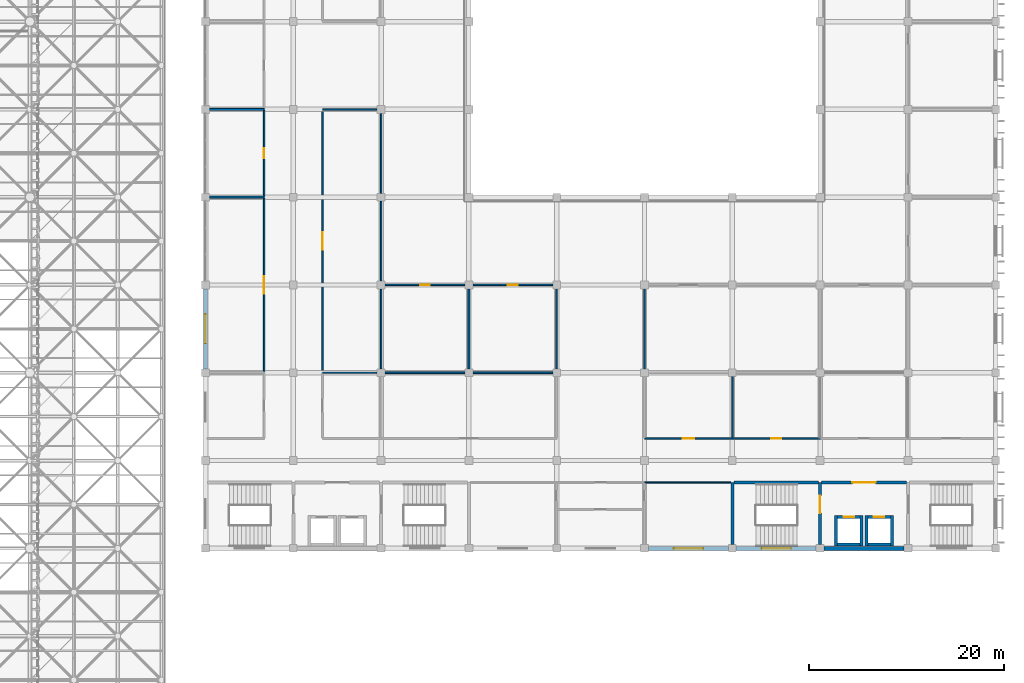
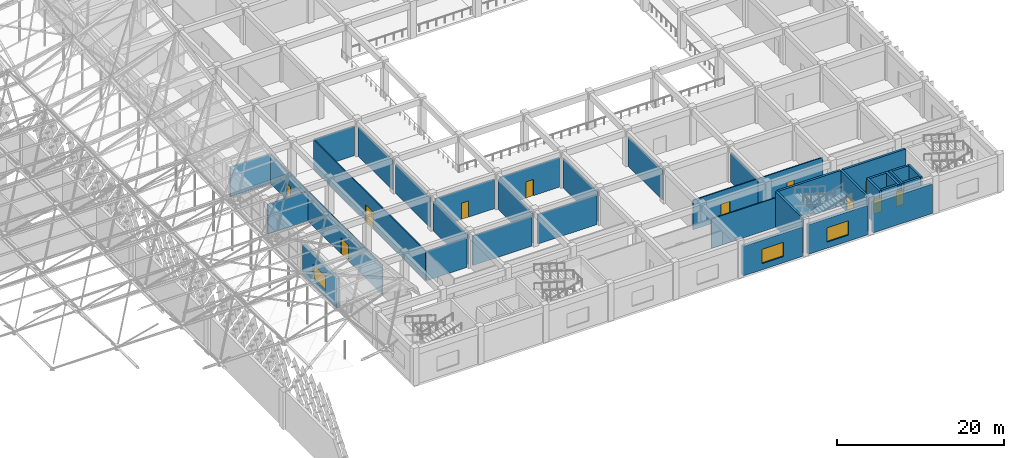
# One storey, part 277 of 437: 37 walls, 11 doors, 3 windows, 14 openings.
"""IFC4 building model written with IfcOpenShell, lengths in metres."""

from ifc_helpers import new_model, si_unit, direction, frame, frame_2d, origin, place, context, subcontext, project, spatial, rectangle, extrude, material, layer, layer_set, type_object, element, fill, save


model = new_model("IFC4")

# Units and contexts
model_context = context("Model", 3, precision=1e-05, world=origin(), true_north=direction((0.0, 1.0)))
body_context = subcontext(model_context, "Body", "Model", "MODEL_VIEW")
ifc_project = project(units=[si_unit("LENGTHUNIT", "METRE"), si_unit("AREAUNIT", "SQUARE_METRE"), si_unit("VOLUMEUNIT", "CUBIC_METRE"), si_unit("PLANEANGLEUNIT", "RADIAN"), si_unit("MASSUNIT", "GRAM", prefix="KILO")], contexts=[model_context])

# Site, building, storey
site_placement = place(None, origin())
site = spatial("IfcSite", under=ifc_project, at=site_placement, CompositionType="ELEMENT")
building_placement = place(site_placement, origin())
building = spatial("IfcBuilding", under=site, at=building_placement, Name="Opaline Strait Convention Centre", CompositionType="ELEMENT")
storey_placement = place(building_placement, frame((0.0, 0.0, 11.5)))
storey = spatial("IfcBuildingStorey", under=building, at=storey_placement, Name="L02", CompositionType="ELEMENT", Elevation=11.5)

# Walls
ifc_material_1 = material(Name="Gypsum board")
ifc_layer_1 = layer(ifc_material_1, 0.050048828125)
ifc_material_2 = material(Name="Steel stud and mineral wool", Category="steel")
ifc_layer_2 = layer(ifc_material_2, 0.10009765625)
ifc_layer_3 = layer(ifc_material_1, 0.050048828125)
ifc_layer_set_1 = layer_set([ifc_layer_1, ifc_layer_2, ifc_layer_3], Name="Gypsum board, Steel stud and mineral wool, Gypsum board")
wall_type_1 = type_object("IfcWallType", Name="Acoustic partition 200 EI45", PredefinedType="PARTITIONING", material=ifc_layer_set_1)
for number, where, z_axis, x_axis, name in (
    (1, (279.39990234375, 126.0, 0.0), (0.0, 0.0, 1.0), (1.0, 0.0, 0.0), "MPW5 partition VIP Suite 2.02 N"),
    (2, (279.39990234375, 135.0, 0.0), (0.0, 0.0, 1.0), (1.0, 0.0, 0.0), "MPW5 partition Boardroom 2.03 N"),
):
    element("IfcWall", number, at=place(storey_placement, frame(where, z_axis=z_axis, x_axis=x_axis)), inside=storey, type_object=wall_type_1, Name=name, PredefinedType="PARTITIONING", context=body_context, shape_type="SweptSolid", body=[
        extrude(rectangle(XDim=5.60009765625, YDim=0.199951171875, at=frame_2d((2.800048828125, 0.0))), origin(), (0.0, 0.0, 1.0), 4.320068359375),
    ])
for number, where, z_axis, x_axis, name in (
    (3, (297.39990234375, 108.0, 0.0), (0.0, 0.0, 1.0), (1.0, 0.0, 0.0), "MPW5 partition Meeting Room 2.11 N"),
    (4, (306.39990234375, 108.0, 0.0), (0.0, 0.0, 1.0), (1.0, 0.0, 0.0), "MPW5 partition Meeting Room 2.11 N"),
    (5, (306.0, 108.39990234375, 0.0), (0.0, 0.0, 1.0), (0.0, 1.0, 0.0), "MPW5 partition Boardroom 2.15 E"),
):
    element("IfcWall", number, at=place(storey_placement, frame(where, z_axis=z_axis, x_axis=x_axis)), inside=storey, type_object=wall_type_1, Name=name, PredefinedType="PARTITIONING", context=body_context, shape_type="SweptSolid", body=[
        extrude(rectangle(XDim=8.2001953125, YDim=0.199951171875, at=frame_2d((4.10009765625, 0.0))), origin(), (0.0, 0.0, 1.0), 4.320068359375),
    ])

# Wall, opening, door
ifc_layer_4 = layer(ifc_material_1, 0.032470703125)
ifc_layer_5 = layer(ifc_material_2, 0.0849609375)
ifc_layer_6 = layer(ifc_material_1, 0.032470703125)
ifc_layer_set_2 = layer_set([ifc_layer_4, ifc_layer_5, ifc_layer_6], Name="Gypsum board, Steel stud and mineral wool, Gypsum board")
wall_type_2 = type_object("IfcWallType", Name="Corridor partition 150 EI60", PredefinedType="PARTITIONING", material=ifc_layer_set_2)
wall_1_placement = place(storey_placement, frame((285.0, 108.10009765625, 0.0), z_axis=(0.0, 0.0, 1.0), x_axis=(0.0, 1.0, 0.0)))
wall_1 = element("IfcWall", 6, at=wall_1_placement, inside=storey, type_object=wall_type_2, Name="MPW1 partition VIP Suite 2.02 E", PredefinedType="PARTITIONING", context=body_context, shape_type="SweptSolid", body=[
    extrude(rectangle(XDim=17.7998046875, YDim=0.14990234375, at=frame_2d((8.89990234375, 0.0))), origin(), (0.0, 0.0, 1.0), 4.320068359375),
])
opening_1_placement = place(wall_1_placement, frame((8.0, 0.0, 0.0)))
opening_1 = element("IfcOpeningElement", 7, at=opening_1_placement, cuts=wall_1, Name="Opening M2-022", PredefinedType="OPENING", context=body_context, shape_type="SweptSolid", body=[
    extrude(rectangle(XDim=1.800048828125, YDim=2.39990234375, at=frame_2d((0.89990234375, 1.199951171875))), frame((0.0, 0.0849609375, 0.0), z_axis=(0.0, -1.0, 0.0), x_axis=(1.0, 0.0, 0.0)), (0.0, 0.0, 1.0), 0.169921875),
])
ifc_material_3 = material(Name="Solid-core timber leaf, steel frame door set", Category="steel")
door_type_1 = type_object("IfcDoorType", Name="Meeting room double door FD30 1800 x 2400", OperationType="DOUBLE_DOOR_SINGLE_SWING", PredefinedType="DOOR", material=ifc_material_3)
door_1_placement = place(opening_1_placement, frame((1.800048828125, 0.0, 0.0), z_axis=(0.0, 0.0, 1.0), x_axis=(-1.0, 0.0, 0.0)))
door_1 = element("IfcDoor", 8, at=door_1_placement, inside=storey, type_object=door_type_1, Name="Door VIP Suite 2.02", ObjectType="MD7", OperationType="DOUBLE_DOOR_SINGLE_SWING", OverallHeight=2.39990234375, OverallWidth=1.800048828125, PredefinedType="DOOR", context=body_context, shape_type="SweptSolid", body=[
    extrude(rectangle(XDim=1.800048828125, YDim=2.39990234375, at=frame_2d((0.89990234375, 1.199951171875))), frame((0.0, 0.02490234375, 0.0), z_axis=(0.0, -1.0, 0.0), x_axis=(1.0, 0.0, 0.0)), (0.0, 0.0, 1.0), 0.050048828125),
])
fill(opening_1, door_1)

wall_2_placement = place(storey_placement, frame((285.0, 126.10009765625, 0.0), z_axis=(0.0, 0.0, 1.0), x_axis=(0.0, 1.0, 0.0)))
wall_2 = element("IfcWall", 9, at=wall_2_placement, inside=storey, type_object=wall_type_2, Name="MPW1 partition Boardroom 2.03 E", PredefinedType="PARTITIONING", context=body_context, shape_type="SweptSolid", body=[
    extrude(rectangle(XDim=8.7998046875, YDim=0.14990234375, at=frame_2d((4.39990234375, 0.0))), origin(), (0.0, 0.0, 1.0), 4.320068359375),
])
opening_2_placement = place(wall_2_placement, frame((3.89990234375, 0.0, 0.0)))
opening_2 = element("IfcOpeningElement", 10, at=opening_2_placement, cuts=wall_2, Name="Opening M2-023", PredefinedType="OPENING", context=body_context, shape_type="SweptSolid", body=[
    extrude(rectangle(XDim=1.0, YDim=2.39990234375, at=frame_2d((0.5, 1.199951171875))), frame((0.0, 0.0849609375, 0.0), z_axis=(0.0, -1.0, 0.0), x_axis=(1.0, 0.0, 0.0)), (0.0, 0.0, 1.0), 0.169921875),
])
door_type_2 = type_object("IfcDoorType", Name="Meeting room door FD30 1000 x 2400", OperationType="SINGLE_SWING_LEFT", PredefinedType="DOOR", material=ifc_material_3)
door_2_placement = place(opening_2_placement, frame((1.0, 0.0, 0.0), z_axis=(0.0, 0.0, 1.0), x_axis=(-1.0, 0.0, 0.0)))
door_2 = element("IfcDoor", 11, at=door_2_placement, inside=storey, type_object=door_type_2, Name="Door Boardroom 2.03", ObjectType="MD8", OperationType="SINGLE_SWING_RIGHT", OverallHeight=2.39990234375, OverallWidth=1.0, PredefinedType="DOOR", context=body_context, shape_type="SweptSolid", body=[
    extrude(rectangle(XDim=1.0, YDim=2.39990234375, at=frame_2d((0.5, 1.199951171875))), frame((0.0, 0.02490234375, 0.0), z_axis=(0.0, -1.0, 0.0), x_axis=(1.0, 0.0, 0.0)), (0.0, 0.0, 1.0), 0.050048828125),
])
fill(opening_2, door_2)

# Wall
wall_3_placement = place(storey_placement, frame((291.0, 135.0, 0.0), z_axis=(0.0, 0.0, 1.0), x_axis=(1.0, 0.0, 0.0)))
element("IfcWall", 12, at=wall_3_placement, inside=storey, type_object=wall_type_2, Name="MPW1 partition Meeting Room 2.08 N", PredefinedType="PARTITIONING", context=body_context, shape_type="SweptSolid", body=[
    extrude(rectangle(XDim=5.60009765625, YDim=0.14990234375, at=frame_2d((2.800048828125, 0.0))), origin(), (0.0, 0.0, 1.0), 4.320068359375),
])

# Wall, opening, door
wall_4_placement = place(storey_placement, frame((291.0, 108.074951171875, 0.0), z_axis=(0.0, 0.0, 1.0), x_axis=(0.0, 1.0, 0.0)))
wall_4 = element("IfcWall", 13, at=wall_4_placement, inside=storey, type_object=wall_type_2, Name="MPW1 partition Meeting Room 2.08 W", PredefinedType="PARTITIONING", context=body_context, shape_type="SweptSolid", body=[
    extrude(rectangle(XDim=26.85009765625, YDim=0.14990234375, at=frame_2d((13.425048828125, 0.0))), origin(), (0.0, 0.0, 1.0), 4.320068359375),
])
opening_3_placement = place(wall_4_placement, frame((12.525146484375, 0.0, 0.0)))
opening_3 = element("IfcOpeningElement", 14, at=opening_3_placement, cuts=wall_4, Name="Opening M2-028", PredefinedType="OPENING", context=body_context, shape_type="SweptSolid", body=[
    extrude(rectangle(XDim=1.800048828125, YDim=2.39990234375, at=frame_2d((0.89990234375, 1.199951171875))), frame((0.0, 0.0849609375, 0.0), z_axis=(0.0, -1.0, 0.0), x_axis=(1.0, 0.0, 0.0)), (0.0, 0.0, 1.0), 0.169921875),
])
door_3_placement = place(opening_3_placement, origin())
door_3 = element("IfcDoor", 15, at=door_3_placement, inside=storey, type_object=door_type_1, Name="Door Meeting Room 2.08", ObjectType="MD7", OperationType="DOUBLE_DOOR_SINGLE_SWING", OverallHeight=2.39990234375, OverallWidth=1.800048828125, PredefinedType="DOOR", context=body_context, shape_type="SweptSolid", body=[
    extrude(rectangle(XDim=1.800048828125, YDim=2.39990234375, at=frame_2d((0.89990234375, 1.199951171875))), frame((0.0, 0.02490234375, 0.0), z_axis=(0.0, -1.0, 0.0), x_axis=(1.0, 0.0, 0.0)), (0.0, 0.0, 1.0), 0.050048828125),
])
fill(opening_3, door_3)

# Walls
for number, where, z_axis, x_axis, name in (
    (16, (297.0, 108.39990234375, 0.0), (0.0, 0.0, 1.0), (0.0, 1.0, 0.0), "MPW1 partition Meeting Room 2.08 E"),
    (17, (297.0, 117.39990234375, 0.0), (0.0, 0.0, 1.0), (0.0, 1.0, 0.0), "MPW1 partition Meeting Room 2.08 E"),
    (18, (297.0, 126.39990234375, 0.0), (0.0, 0.0, 1.0), (0.0, 1.0, 0.0), "MPW1 partition Meeting Room 2.08 E"),
):
    element("IfcWall", number, at=place(storey_placement, frame(where, z_axis=z_axis, x_axis=x_axis)), inside=storey, type_object=wall_type_2, Name=name, PredefinedType="PARTITIONING", context=body_context, shape_type="SweptSolid", body=[
        extrude(rectangle(XDim=8.2001953125, YDim=0.14990234375, at=frame_2d((4.10009765625, 0.0))), origin(), (0.0, 0.0, 1.0), 4.320068359375),
    ])

# Wall, opening, door
wall_5_placement = place(storey_placement, frame((333.0, 101.25, 0.0), z_axis=(0.0, 0.0, 1.0), x_axis=(1.0, 0.0, 0.0)))
wall_5 = element("IfcWall", 19, at=wall_5_placement, inside=storey, type_object=wall_type_2, Name="MPW1 partition Breakout Room 2.13 S", PredefinedType="PARTITIONING", context=body_context, shape_type="SweptSolid", body=[
    extrude(rectangle(XDim=9.0, YDim=0.14990234375, at=frame_2d((4.5, 0.0))), origin(), (0.0, 0.0, 1.0), 4.320068359375),
])
opening_4_placement = place(wall_5_placement, frame((4.0, 0.0, 0.0)))
opening_4 = element("IfcOpeningElement", 20, at=opening_4_placement, cuts=wall_5, Name="Opening M2-033", PredefinedType="OPENING", context=body_context, shape_type="SweptSolid", body=[
    extrude(rectangle(XDim=1.0, YDim=2.39990234375, at=frame_2d((0.5, 1.199951171875))), frame((0.0, 0.0849609375, 0.0), z_axis=(0.0, -1.0, 0.0), x_axis=(1.0, 0.0, 0.0)), (0.0, 0.0, 1.0), 0.169921875),
])
door_4_placement = place(opening_4_placement, frame((1.0, 0.0, 0.0), z_axis=(0.0, 0.0, 1.0), x_axis=(-1.0, 0.0, 0.0)))
door_4 = element("IfcDoor", 21, at=door_4_placement, inside=storey, type_object=door_type_2, Name="Door Breakout Room 2.13", ObjectType="MD8", OperationType="SINGLE_SWING_LEFT", OverallHeight=2.39990234375, OverallWidth=1.0, PredefinedType="DOOR", context=body_context, shape_type="SweptSolid", body=[
    extrude(rectangle(XDim=1.0, YDim=2.39990234375, at=frame_2d((0.5, 1.199951171875))), frame((0.0, 0.02490234375, 0.0), z_axis=(0.0, -1.0, 0.0), x_axis=(1.0, 0.0, 0.0)), (0.0, 0.0, 1.0), 0.050048828125),
])
fill(opening_4, door_4)

wall_6_placement = place(storey_placement, frame((297.39990234375, 117.0, 0.0), z_axis=(0.0, 0.0, 1.0), x_axis=(1.0, 0.0, 0.0)))
wall_6 = element("IfcWall", 22, at=wall_6_placement, inside=storey, type_object=wall_type_2, Name="MPW1 partition Boardroom 2.15 N", PredefinedType="PARTITIONING", context=body_context, shape_type="SweptSolid", body=[
    extrude(rectangle(XDim=8.2001953125, YDim=0.14990234375, at=frame_2d((4.10009765625, 0.0))), origin(), (0.0, 0.0, 1.0), 4.320068359375),
])
opening_5_placement = place(wall_6_placement, frame((3.60009765625, 0.0, 0.0)))
opening_5 = element("IfcOpeningElement", 23, at=opening_5_placement, cuts=wall_6, Name="Opening M2-035", PredefinedType="OPENING", context=body_context, shape_type="SweptSolid", body=[
    extrude(rectangle(XDim=1.0, YDim=2.39990234375, at=frame_2d((0.5, 1.199951171875))), frame((0.0, 0.0849609375, 0.0), z_axis=(0.0, -1.0, 0.0), x_axis=(1.0, 0.0, 0.0)), (0.0, 0.0, 1.0), 0.169921875),
])
door_5_placement = place(opening_5_placement, origin())
door_5 = element("IfcDoor", 24, at=door_5_placement, inside=storey, type_object=door_type_2, Name="Door Boardroom 2.15", ObjectType="MD8", OperationType="SINGLE_SWING_LEFT", OverallHeight=2.39990234375, OverallWidth=1.0, PredefinedType="DOOR", context=body_context, shape_type="SweptSolid", body=[
    extrude(rectangle(XDim=1.0, YDim=2.39990234375, at=frame_2d((0.5, 1.199951171875))), frame((0.0, 0.02490234375, 0.0), z_axis=(0.0, -1.0, 0.0), x_axis=(1.0, 0.0, 0.0)), (0.0, 0.0, 1.0), 0.050048828125),
])
fill(opening_5, door_5)

wall_7_placement = place(storey_placement, frame((306.39990234375, 117.0, 0.0), z_axis=(0.0, 0.0, 1.0), x_axis=(1.0, 0.0, 0.0)))
wall_7 = element("IfcWall", 25, at=wall_7_placement, inside=storey, type_object=wall_type_2, Name="MPW1 partition VIP Suite 2.16 N", PredefinedType="PARTITIONING", context=body_context, shape_type="SweptSolid", body=[
    extrude(rectangle(XDim=8.2001953125, YDim=0.14990234375, at=frame_2d((4.10009765625, 0.0))), origin(), (0.0, 0.0, 1.0), 4.320068359375),
])
opening_6_placement = place(wall_7_placement, frame((3.60009765625, 0.0, 0.0)))
opening_6 = element("IfcOpeningElement", 26, at=opening_6_placement, cuts=wall_7, Name="Opening M2-036", PredefinedType="OPENING", context=body_context, shape_type="SweptSolid", body=[
    extrude(rectangle(XDim=1.0, YDim=2.39990234375, at=frame_2d((0.5, 1.199951171875))), frame((0.0, 0.0849609375, 0.0), z_axis=(0.0, -1.0, 0.0), x_axis=(1.0, 0.0, 0.0)), (0.0, 0.0, 1.0), 0.169921875),
])
door_6_placement = place(opening_6_placement, origin())
door_6 = element("IfcDoor", 27, at=door_6_placement, inside=storey, type_object=door_type_2, Name="Door VIP Suite 2.16", ObjectType="MD8", OperationType="SINGLE_SWING_LEFT", OverallHeight=2.39990234375, OverallWidth=1.0, PredefinedType="DOOR", context=body_context, shape_type="SweptSolid", body=[
    extrude(rectangle(XDim=1.0, YDim=2.39990234375, at=frame_2d((0.5, 1.199951171875))), frame((0.0, 0.02490234375, 0.0), z_axis=(0.0, -1.0, 0.0), x_axis=(1.0, 0.0, 0.0)), (0.0, 0.0, 1.0), 0.050048828125),
])
fill(opening_6, door_6)

# Walls
for number, where, z_axis, x_axis, name in (
    (28, (315.0, 108.39990234375, 0.0), (0.0, 0.0, 1.0), (0.0, 1.0, 0.0), "MPW1 partition VIP Suite 2.16 E"),
    (29, (324.0, 108.39990234375, 0.0), (0.0, 0.0, 1.0), (0.0, 1.0, 0.0), "MPW1 partition Meeting Room 2.17 W"),
):
    element("IfcWall", number, at=place(storey_placement, frame(where, z_axis=z_axis, x_axis=x_axis)), inside=storey, type_object=wall_type_2, Name=name, PredefinedType="PARTITIONING", context=body_context, shape_type="SweptSolid", body=[
        extrude(rectangle(XDim=8.2001953125, YDim=0.14990234375, at=frame_2d((4.10009765625, 0.0))), origin(), (0.0, 0.0, 1.0), 4.320068359375),
    ])
wall_8_placement = place(storey_placement, frame((324.0, 96.75, 0.0), z_axis=(0.0, 0.0, 1.0), x_axis=(1.0, 0.0, 0.0)))
element("IfcWall", 30, at=wall_8_placement, inside=storey, type_object=wall_type_2, Name="MPW1 partition Women's WC 2.S N", PredefinedType="PARTITIONING", context=body_context, shape_type="SweptSolid", body=[
    extrude(rectangle(XDim=8.85009765625, YDim=0.14990234375, at=frame_2d((4.425048828125, 0.0))), origin(), (0.0, 0.0, 1.0), 4.320068359375),
])

# Wall, opening, window
ifc_material_4 = material(Name="Concrete C40 precast", Category="concrete")
ifc_layer_7 = layer(ifc_material_4, 0.10009765625)
ifc_material_5 = material(Name="Mineral wool insulation")
ifc_layer_8 = layer(ifc_material_5, 0.14990234375)
ifc_layer_9 = layer(ifc_material_4, 0.14990234375)
ifc_layer_set_3 = layer_set([ifc_layer_7, ifc_layer_8, ifc_layer_9], Name="Concrete C40 precast, Mineral wool insulation, Concrete C40 precast")
wall_type_3 = type_object("IfcWallType", Name="External wall 400 insulated precast EI60", PredefinedType="STANDARD", material=ifc_layer_set_3)
wall_9_placement = place(storey_placement, frame((324.39990234375, 90.0, 0.0), z_axis=(0.0, 0.0, 1.0), x_axis=(1.0, 0.0, 0.0)))
wall_9 = element("IfcWall", 31, at=wall_9_placement, inside=storey, type_object=wall_type_3, Name="External wall S L02 37/L", PredefinedType="STANDARD", context=body_context, shape_type="SweptSolid", body=[
    extrude(rectangle(XDim=8.2001953125, YDim=0.39990234375, at=frame_2d((4.10009765625, 0.0))), origin(), (0.0, 0.0, 1.0), 4.320068359375),
])
opening_7_placement = place(wall_9_placement, frame((2.60009765625, 0.0, 0.89990234375)))
opening_7 = element("IfcOpeningElement", 32, at=opening_7_placement, cuts=wall_9, Name="Opening MW2", PredefinedType="OPENING", context=body_context, shape_type="SweptSolid", body=[
    extrude(rectangle(XDim=3.0, YDim=2.10009765625, at=frame_2d((1.5, 1.050048828125))), frame((0.0, 0.2099609375, 0.0), z_axis=(0.0, -1.0, 0.0), x_axis=(1.0, 0.0, 0.0)), (0.0, 0.0, 1.0), 0.419921875),
])
ifc_material_6 = material(Name="Aluminium framed double glazing", Category="aluminium")
window_type = type_object("IfcWindowType", Name="Window 3000 x 2100", PartitioningType="TRIPLE_PANEL_VERTICAL", PredefinedType="WINDOW", material=ifc_material_6)
window_1_placement = place(opening_7_placement, origin())
window_1 = element("IfcWindow", 33, at=window_1_placement, inside=storey, type_object=window_type, Name="Window Women's WC 2.S S", OverallHeight=2.10009765625, OverallWidth=3.0, PartitioningType="TRIPLE_PANEL_VERTICAL", PredefinedType="WINDOW", context=body_context, shape_type="SweptSolid", body=[
    extrude(rectangle(XDim=3.0, YDim=2.10009765625, at=frame_2d((1.5, 1.050048828125))), frame((0.0, 0.030029296875, 0.0), z_axis=(0.0, -1.0, 0.0), x_axis=(1.0, 0.0, 0.0)), (0.0, 0.0, 1.0), 0.06005859375),
])
fill(opening_7, window_1)

wall_10_placement = place(storey_placement, frame((333.39990234375, 90.0, 0.0), z_axis=(0.0, 0.0, 1.0), x_axis=(1.0, 0.0, 0.0)))
wall_10 = element("IfcWall", 34, at=wall_10_placement, inside=storey, type_object=wall_type_3, Name="External wall S L02 38/L", PredefinedType="STANDARD", context=body_context, shape_type="SweptSolid", body=[
    extrude(rectangle(XDim=8.2001953125, YDim=0.39990234375, at=frame_2d((4.10009765625, 0.0))), origin(), (0.0, 0.0, 1.0), 4.320068359375),
])
opening_8_placement = place(wall_10_placement, frame((2.60009765625, 0.0, 0.89990234375)))
opening_8 = element("IfcOpeningElement", 35, at=opening_8_placement, cuts=wall_10, Name="Opening MW2", PredefinedType="OPENING", context=body_context, shape_type="SweptSolid", body=[
    extrude(rectangle(XDim=3.0, YDim=2.10009765625, at=frame_2d((1.5, 1.050048828125))), frame((0.0, 0.2099609375, 0.0), z_axis=(0.0, -1.0, 0.0), x_axis=(1.0, 0.0, 0.0)), (0.0, 0.0, 1.0), 0.419921875),
])
window_2_placement = place(opening_8_placement, origin())
window_2 = element("IfcWindow", 36, at=window_2_placement, inside=storey, type_object=window_type, Name="Window Escape Stair S4 S", OverallHeight=2.10009765625, OverallWidth=3.0, PartitioningType="TRIPLE_PANEL_VERTICAL", PredefinedType="WINDOW", context=body_context, shape_type="SweptSolid", body=[
    extrude(rectangle(XDim=3.0, YDim=2.10009765625, at=frame_2d((1.5, 1.050048828125))), frame((0.0, 0.030029296875, 0.0), z_axis=(0.0, -1.0, 0.0), x_axis=(1.0, 0.0, 0.0)), (0.0, 0.0, 1.0), 0.06005859375),
])
fill(opening_8, window_2)

# Wall
wall_11_placement = place(storey_placement, frame((342.39990234375, 90.0, 0.0), z_axis=(0.0, 0.0, 1.0), x_axis=(1.0, 0.0, 0.0)))
element("IfcWall", 37, at=wall_11_placement, inside=storey, type_object=wall_type_3, Name="External wall S L02 39/L", PredefinedType="STANDARD", context=body_context, shape_type="SweptSolid", body=[
    extrude(rectangle(XDim=8.2001953125, YDim=0.39990234375, at=frame_2d((4.10009765625, 0.0))), origin(), (0.0, 0.0, 1.0), 4.320068359375),
])

# Wall, opening, window
wall_12_placement = place(storey_placement, frame((279.0, 108.39990234375, 0.0), z_axis=(0.0, 0.0, 1.0), x_axis=(0.0, 1.0, 0.0)))
wall_12 = element("IfcWall", 38, at=wall_12_placement, inside=storey, type_object=wall_type_3, Name="External wall W L02 32/N", PredefinedType="STANDARD", context=body_context, shape_type="SweptSolid", body=[
    extrude(rectangle(XDim=8.2001953125, YDim=0.39990234375, at=frame_2d((4.10009765625, 0.0))), origin(), (0.0, 0.0, 1.0), 4.320068359375),
])
opening_9_placement = place(wall_12_placement, frame((2.60009765625, 0.0, 0.89990234375)))
opening_9 = element("IfcOpeningElement", 39, at=opening_9_placement, cuts=wall_12, Name="Opening MW2", PredefinedType="OPENING", context=body_context, shape_type="SweptSolid", body=[
    extrude(rectangle(XDim=3.0, YDim=2.10009765625, at=frame_2d((1.5, 1.050048828125))), frame((0.0, 0.2099609375, 0.0), z_axis=(0.0, -1.0, 0.0), x_axis=(1.0, 0.0, 0.0)), (0.0, 0.0, 1.0), 0.419921875),
])
window_3_placement = place(opening_9_placement, origin())
window_3 = element("IfcWindow", 40, at=window_3_placement, inside=storey, type_object=window_type, Name="Window VIP Suite 2.02 W", OverallHeight=2.10009765625, OverallWidth=3.0, PartitioningType="TRIPLE_PANEL_VERTICAL", PredefinedType="WINDOW", context=body_context, shape_type="SweptSolid", body=[
    extrude(rectangle(XDim=3.0, YDim=2.10009765625, at=frame_2d((1.5, 1.050048828125))), frame((0.0, 0.030029296875, 0.0), z_axis=(0.0, -1.0, 0.0), x_axis=(1.0, 0.0, 0.0)), (0.0, 0.0, 1.0), 0.06005859375),
])
fill(opening_9, window_3)

# Wall
ifc_layer_10 = layer(ifc_material_1, 0.032470703125)
ifc_layer_11 = layer(ifc_material_2, 0.0849609375)
ifc_layer_12 = layer(ifc_material_1, 0.032470703125)
ifc_layer_set_4 = layer_set([ifc_layer_10, ifc_layer_11, ifc_layer_12], Name="Gypsum board, Steel stud and mineral wool, Gypsum board")
wall_type_4 = type_object("IfcWallType", Name="Plant room partition 150 EI120", PredefinedType="PARTITIONING", material=ifc_layer_set_4)
wall_13_placement = place(storey_placement, frame((291.0, 108.0, 0.0), z_axis=(0.0, 0.0, 1.0), x_axis=(1.0, 0.0, 0.0)))
element("IfcWall", 41, at=wall_13_placement, inside=storey, type_object=wall_type_4, Name="MPW3 partition Plant Room 2.07 N", PredefinedType="PARTITIONING", context=body_context, shape_type="SweptSolid", body=[
    extrude(rectangle(XDim=5.60009765625, YDim=0.14990234375, at=frame_2d((2.800048828125, 0.0))), origin(), (0.0, 0.0, 1.0), 4.320068359375),
])

# Wall, opening, door
wall_14_placement = place(storey_placement, frame((324.0, 101.25, 0.0), z_axis=(0.0, 0.0, 1.0), x_axis=(1.0, 0.0, 0.0)))
wall_14 = element("IfcWall", 42, at=wall_14_placement, inside=storey, type_object=wall_type_4, Name="MPW3 partition Plant Room 2.12 S", PredefinedType="PARTITIONING", context=body_context, shape_type="SweptSolid", body=[
    extrude(rectangle(XDim=9.0, YDim=0.14990234375, at=frame_2d((4.5, 0.0))), origin(), (0.0, 0.0, 1.0), 4.320068359375),
])
opening_10_placement = place(wall_14_placement, frame((3.89990234375, 0.0, 0.0)))
opening_10 = element("IfcOpeningElement", 43, at=opening_10_placement, cuts=wall_14, Name="Opening M2-032", PredefinedType="OPENING", context=body_context, shape_type="SweptSolid", body=[
    extrude(rectangle(XDim=1.199951171875, YDim=2.39990234375, at=frame_2d((0.60009765625, 1.199951171875))), frame((0.0, 0.0849609375, 0.0), z_axis=(0.0, -1.0, 0.0), x_axis=(1.0, 0.0, 0.0)), (0.0, 0.0, 1.0), 0.169921875),
])
ifc_material_7 = material(Name="Steel Q235B", Category="steel")
door_type_3 = type_object("IfcDoorType", Name="Plant room door FD60 1200 x 2400", OperationType="SINGLE_SWING_LEFT", PredefinedType="DOOR", material=ifc_material_7)
door_7_placement = place(opening_10_placement, frame((1.199951171875, 0.0, 0.0), z_axis=(0.0, 0.0, 1.0), x_axis=(-1.0, 0.0, 0.0)))
door_7 = element("IfcDoor", 44, at=door_7_placement, inside=storey, type_object=door_type_3, Name="Door Plant Room 2.12", ObjectType="MD9", OperationType="SINGLE_SWING_LEFT", OverallHeight=2.39990234375, OverallWidth=1.199951171875, PredefinedType="DOOR", context=body_context, shape_type="SweptSolid", body=[
    extrude(rectangle(XDim=1.199951171875, YDim=2.39990234375, at=frame_2d((0.60009765625, 1.199951171875))), frame((0.0, 0.02490234375, 0.0), z_axis=(0.0, -1.0, 0.0), x_axis=(1.0, 0.0, 0.0)), (0.0, 0.0, 1.0), 0.050048828125),
])
fill(opening_10, door_7)

# Wall
wall_15_placement = place(storey_placement, frame((333.0, 101.324951171875, 0.0), z_axis=(0.0, 0.0, 1.0), x_axis=(0.0, 1.0, 0.0)))
element("IfcWall", 45, at=wall_15_placement, inside=storey, type_object=wall_type_4, Name="MPW3 partition Plant Room 2.12 E", PredefinedType="PARTITIONING", context=body_context, shape_type="SweptSolid", body=[
    extrude(rectangle(XDim=6.275146484375, YDim=0.14990234375, at=frame_2d((3.1376953125, 0.0))), origin(), (0.0, 0.0, 1.0), 4.320068359375),
])

# Wall, opening, door
ifc_material_8 = material(Name="Concrete C40", Category="concrete")
ifc_layer_13 = layer(ifc_material_8, 0.300048828125)
ifc_layer_set_5 = layer_set([ifc_layer_13], Name="Concrete C40")
wall_type_5 = type_object("IfcWallType", Name="RC core wall 300 C40", PredefinedType="SHEAR", material=ifc_layer_set_5)
wall_16_placement = place(storey_placement, frame((342.0, 90.39990234375, 0.0), z_axis=(0.0, 0.0, 1.0), x_axis=(0.0, 1.0, 0.0)))
wall_16 = element("IfcWall", 46, at=wall_16_placement, inside=storey, type_object=wall_type_5, Name="Core wall SE-L02", PredefinedType="SHEAR", context=body_context, shape_type="SweptSolid", body=[
    extrude(rectangle(XDim=6.35009765625, YDim=0.300048828125, at=frame_2d((3.175048828125, 0.0))), origin(), (0.0, 0.0, 1.0), 5.219970703125),
])
opening_11_placement = place(wall_16_placement, frame((3.2001953125, 0.0, 0.0)))
opening_11 = element("IfcOpeningElement", 47, at=opening_11_placement, cuts=wall_16, Name="Opening M2-007", PredefinedType="OPENING", context=body_context, shape_type="SweptSolid", body=[
    extrude(rectangle(XDim=1.800048828125, YDim=2.39990234375, at=frame_2d((0.89990234375, 1.199951171875))), frame((0.0, 0.159912109375, 0.0), z_axis=(0.0, -1.0, 0.0), x_axis=(1.0, 0.0, 0.0)), (0.0, 0.0, 1.0), 0.320068359375),
])
door_type_4 = type_object("IfcDoorType", Name="Stair door FD60 1800 x 2400", OperationType="DOUBLE_DOOR_SINGLE_SWING", PredefinedType="DOOR", material=ifc_material_7)
door_8_placement = place(opening_11_placement, frame((1.800048828125, 0.0, 0.0), z_axis=(0.0, 0.0, 1.0), x_axis=(-1.0, 0.0, 0.0)))
door_8 = element("IfcDoor", 48, at=door_8_placement, inside=storey, type_object=door_type_4, Name="Escape stair S4 door L02", ObjectType="MD4", OperationType="DOUBLE_DOOR_SINGLE_SWING", OverallHeight=2.39990234375, OverallWidth=1.800048828125, PredefinedType="DOOR", context=body_context, shape_type="SweptSolid", body=[
    extrude(rectangle(XDim=1.800048828125, YDim=2.39990234375, at=frame_2d((0.89990234375, 1.199951171875))), frame((0.0, 0.02490234375, 0.0), z_axis=(0.0, -1.0, 0.0), x_axis=(1.0, 0.0, 0.0)), (0.0, 0.0, 1.0), 0.050048828125),
])
fill(opening_11, door_8)

# Walls
wall_17_placement = place(storey_placement, frame((333.0, 90.39990234375, 0.0), z_axis=(0.0, 0.0, 1.0), x_axis=(0.0, 1.0, 0.0)))
element("IfcWall", 49, at=wall_17_placement, inside=storey, type_object=wall_type_5, Name="Core wall SE-L02", PredefinedType="SHEAR", context=body_context, shape_type="SweptSolid", body=[
    extrude(rectangle(XDim=6.35009765625, YDim=0.300048828125, at=frame_2d((3.175048828125, 0.0))), origin(), (0.0, 0.0, 1.0), 5.219970703125),
])
wall_18_placement = place(storey_placement, frame((333.14990234375, 96.75, 0.0), z_axis=(0.0, 0.0, 1.0), x_axis=(1.0, 0.0, 0.0)))
element("IfcWall", 50, at=wall_18_placement, inside=storey, type_object=wall_type_5, Name="Core wall SE-L02", PredefinedType="SHEAR", context=body_context, shape_type="SweptSolid", body=[
    extrude(rectangle(XDim=8.7001953125, YDim=0.300048828125, at=frame_2d((4.35009765625, 0.0))), origin(), (0.0, 0.0, 1.0), 5.219970703125),
])

# Wall, opening, door
wall_19_placement = place(storey_placement, frame((342.14990234375, 96.75, 0.0), z_axis=(0.0, 0.0, 1.0), x_axis=(1.0, 0.0, 0.0)))
wall_19 = element("IfcWall", 51, at=wall_19_placement, inside=storey, type_object=wall_type_5, Name="Core wall SE-L02", PredefinedType="SHEAR", context=body_context, shape_type="SweptSolid", body=[
    extrude(rectangle(XDim=8.7001953125, YDim=0.300048828125, at=frame_2d((4.35009765625, 0.0))), origin(), (0.0, 0.0, 1.0), 5.219970703125),
])
opening_12_placement = place(wall_19_placement, frame((3.150146484375, 0.0, 0.0)))
opening_12 = element("IfcOpeningElement", 52, at=opening_12_placement, cuts=wall_19, Name="Opening M2-008", PredefinedType="OPENING", context=body_context, shape_type="SweptSolid", body=[
    extrude(rectangle(XDim=2.39990234375, YDim=2.39990234375, at=frame_2d((1.199951171875, 1.199951171875))), frame((0.0, 0.159912109375, 0.0), z_axis=(0.0, -1.0, 0.0), x_axis=(1.0, 0.0, 0.0)), (0.0, 0.0, 1.0), 0.320068359375),
])
door_type_5 = type_object("IfcDoorType", Name="Lift lobby double door FD60 2400 x 2400", OperationType="DOUBLE_DOOR_SINGLE_SWING", PredefinedType="DOOR", material=ifc_material_7)
door_9_placement = place(opening_12_placement, origin())
door_9 = element("IfcDoor", 53, at=door_9_placement, inside=storey, type_object=door_type_5, Name="Lift lobby SE door L02", ObjectType="MD5", OperationType="DOUBLE_DOOR_SINGLE_SWING", OverallHeight=2.39990234375, OverallWidth=2.39990234375, PredefinedType="DOOR", context=body_context, shape_type="SweptSolid", body=[
    extrude(rectangle(XDim=2.39990234375, YDim=2.39990234375, at=frame_2d((1.199951171875, 1.199951171875))), frame((0.0, 0.02490234375, 0.0), z_axis=(0.0, -1.0, 0.0), x_axis=(1.0, 0.0, 0.0)), (0.0, 0.0, 1.0), 0.050048828125),
])
fill(opening_12, door_9)

# Walls
ifc_layer_14 = layer(ifc_material_8, 0.300048828125)
ifc_layer_set_6 = layer_set([ifc_layer_14], Name="Concrete C40")
wall_type_6 = type_object("IfcWallType", Name="RC lift shaft wall 300 C40", PredefinedType="SHEAR", material=ifc_layer_set_6)
for number, where, z_axis, x_axis, name in (
    (54, (349.35009765625, 90.25, 0.0), (0.0, 0.0, 1.0), (0.0, 1.0, 0.0), "Lift shaft SE1 wall L02"),
    (55, (346.75, 90.25, 0.0), (0.0, 0.0, 1.0), (0.0, 1.0, 0.0), "Lift shaft SE1 wall L02"),
):
    element("IfcWall", number, at=place(storey_placement, frame(where, z_axis=z_axis, x_axis=x_axis)), inside=storey, type_object=wall_type_6, Name=name, PredefinedType="SHEAR", context=body_context, shape_type="SweptSolid", body=[
        extrude(rectangle(XDim=3.10009765625, YDim=0.300048828125, at=frame_2d((1.550048828125, 0.0))), origin(), (0.0, 0.0, 1.0), 5.5),
    ])
wall_20_placement = place(storey_placement, frame((346.89990234375, 90.39990234375, 0.0), z_axis=(0.0, 0.0, 1.0), x_axis=(1.0, 0.0, 0.0)))
element("IfcWall", 56, at=wall_20_placement, inside=storey, type_object=wall_type_6, Name="Lift shaft SE1 wall L02", PredefinedType="SHEAR", context=body_context, shape_type="SweptSolid", body=[
    extrude(rectangle(XDim=2.300048828125, YDim=0.300048828125, at=frame_2d((1.14990234375, 0.0))), origin(), (0.0, 0.0, 1.0), 5.5),
])

# Wall, opening, door
wall_21_placement = place(storey_placement, frame((346.89990234375, 93.199951171875, 0.0), z_axis=(0.0, 0.0, 1.0), x_axis=(1.0, 0.0, 0.0)))
wall_21 = element("IfcWall", 57, at=wall_21_placement, inside=storey, type_object=wall_type_6, Name="Lift shaft SE1 wall L02", PredefinedType="SHEAR", context=body_context, shape_type="SweptSolid", body=[
    extrude(rectangle(XDim=2.300048828125, YDim=0.300048828125, at=frame_2d((1.14990234375, 0.0))), origin(), (0.0, 0.0, 1.0), 5.5),
])
opening_13_placement = place(wall_21_placement, frame((0.60009765625, 0.0, 0.0)))
opening_13 = element("IfcOpeningElement", 58, at=opening_13_placement, cuts=wall_21, Name="Opening M2-009", PredefinedType="OPENING", context=body_context, shape_type="SweptSolid", body=[
    extrude(rectangle(XDim=1.10009765625, YDim=2.199951171875, at=frame_2d((0.550048828125, 1.10009765625))), frame((0.0, 0.159912109375, 0.0), z_axis=(0.0, -1.0, 0.0), x_axis=(1.0, 0.0, 0.0)), (0.0, 0.0, 1.0), 0.320068359375),
])
ifc_material_9 = material(Name="Stainless steel 304", Category="steel")
door_type_6 = type_object("IfcDoorType", Name="Lift landing door FD60 1100 x 2200", OperationType="SLIDING_TO_LEFT", PredefinedType="DOOR", material=ifc_material_9)
door_10_placement = place(opening_13_placement, origin())
door_10 = element("IfcDoor", 59, at=door_10_placement, inside=storey, type_object=door_type_6, Name="Lift landing door SE1 L02", ObjectType="MD6", OperationType="SLIDING_TO_LEFT", OverallHeight=2.199951171875, OverallWidth=1.10009765625, PredefinedType="DOOR", context=body_context, shape_type="SweptSolid", body=[
    extrude(rectangle(XDim=1.10009765625, YDim=2.199951171875, at=frame_2d((0.550048828125, 1.10009765625))), frame((0.0, 0.02490234375, 0.0), z_axis=(0.0, -1.0, 0.0), x_axis=(1.0, 0.0, 0.0)), (0.0, 0.0, 1.0), 0.050048828125),
])
fill(opening_13, door_10)

# Walls
for number, where, z_axis, x_axis, name in (
    (60, (346.25, 90.25, 0.0), (0.0, 0.0, 1.0), (0.0, 1.0, 0.0), "Lift shaft SE2 wall L02"),
    (61, (343.64990234375, 90.25, 0.0), (0.0, 0.0, 1.0), (0.0, 1.0, 0.0), "Lift shaft SE2 wall L02"),
):
    element("IfcWall", number, at=place(storey_placement, frame(where, z_axis=z_axis, x_axis=x_axis)), inside=storey, type_object=wall_type_6, Name=name, PredefinedType="SHEAR", context=body_context, shape_type="SweptSolid", body=[
        extrude(rectangle(XDim=3.10009765625, YDim=0.300048828125, at=frame_2d((1.550048828125, 0.0))), origin(), (0.0, 0.0, 1.0), 5.5),
    ])
wall_22_placement = place(storey_placement, frame((343.800048828125, 90.39990234375, 0.0), z_axis=(0.0, 0.0, 1.0), x_axis=(1.0, 0.0, 0.0)))
element("IfcWall", 62, at=wall_22_placement, inside=storey, type_object=wall_type_6, Name="Lift shaft SE2 wall L02", PredefinedType="SHEAR", context=body_context, shape_type="SweptSolid", body=[
    extrude(rectangle(XDim=2.300048828125, YDim=0.300048828125, at=frame_2d((1.14990234375, 0.0))), origin(), (0.0, 0.0, 1.0), 5.5),
])

# Wall, opening, door
wall_23_placement = place(storey_placement, frame((343.800048828125, 93.199951171875, 0.0), z_axis=(0.0, 0.0, 1.0), x_axis=(1.0, 0.0, 0.0)))
wall_23 = element("IfcWall", 63, at=wall_23_placement, inside=storey, type_object=wall_type_6, Name="Lift shaft SE2 wall L02", PredefinedType="SHEAR", context=body_context, shape_type="SweptSolid", body=[
    extrude(rectangle(XDim=2.300048828125, YDim=0.300048828125, at=frame_2d((1.14990234375, 0.0))), origin(), (0.0, 0.0, 1.0), 5.5),
])
opening_14_placement = place(wall_23_placement, frame((0.599853515625, 0.0, 0.0)))
opening_14 = element("IfcOpeningElement", 64, at=opening_14_placement, cuts=wall_23, Name="Opening M2-010", PredefinedType="OPENING", context=body_context, shape_type="SweptSolid", body=[
    extrude(rectangle(XDim=1.10009765625, YDim=2.199951171875, at=frame_2d((0.550048828125, 1.10009765625))), frame((0.0, 0.159912109375, 0.0), z_axis=(0.0, -1.0, 0.0), x_axis=(1.0, 0.0, 0.0)), (0.0, 0.0, 1.0), 0.320068359375),
])
door_11_placement = place(opening_14_placement, origin())
door_11 = element("IfcDoor", 65, at=door_11_placement, inside=storey, type_object=door_type_6, Name="Lift landing door SE2 L02", ObjectType="MD6", OperationType="SLIDING_TO_RIGHT", OverallHeight=2.199951171875, OverallWidth=1.10009765625, PredefinedType="DOOR", context=body_context, shape_type="SweptSolid", body=[
    extrude(rectangle(XDim=1.10009765625, YDim=2.199951171875, at=frame_2d((0.550048828125, 1.10009765625))), frame((0.0, 0.02490234375, 0.0), z_axis=(0.0, -1.0, 0.0), x_axis=(1.0, 0.0, 0.0)), (0.0, 0.0, 1.0), 0.050048828125),
])
fill(opening_14, door_11)

save(model, "model.ifc")
